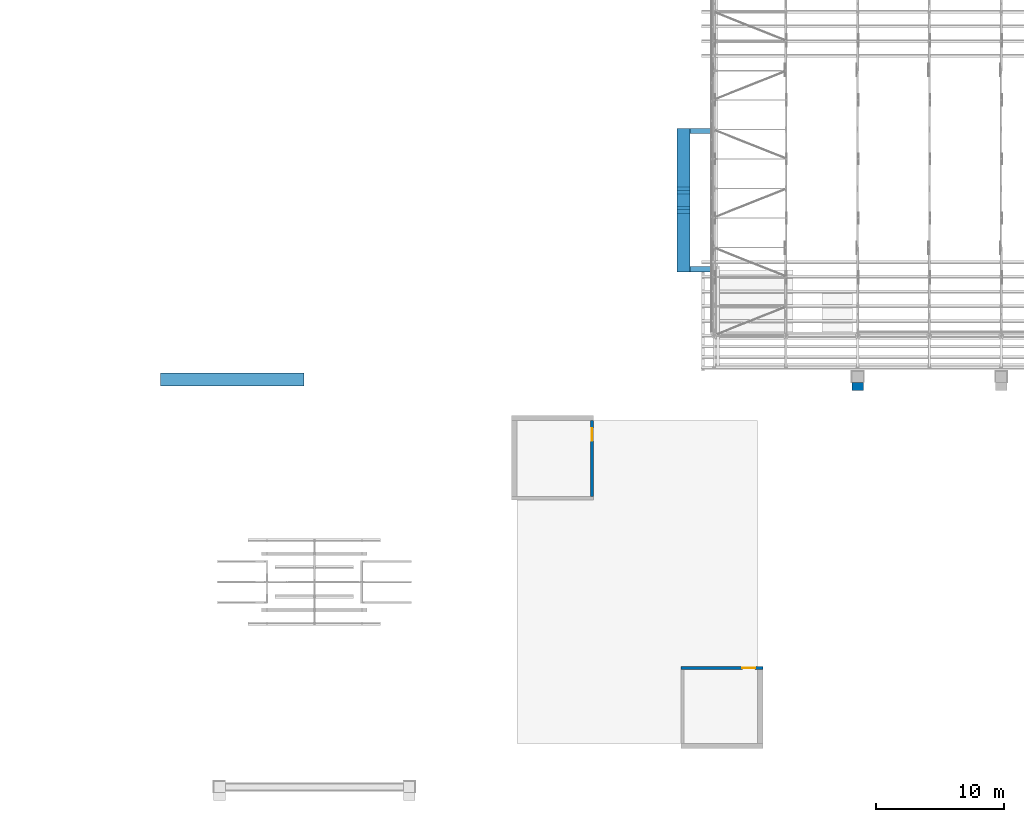
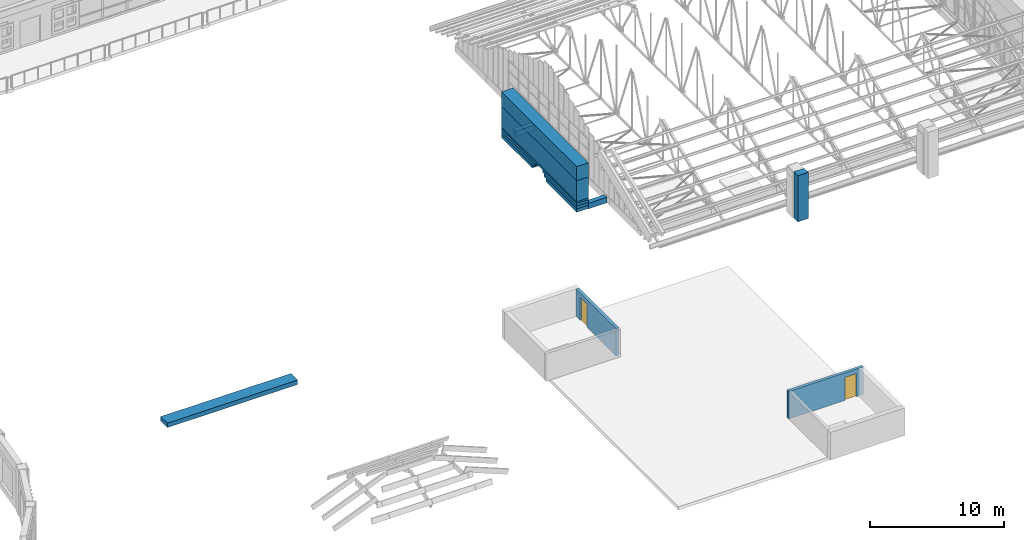
# One storey, part 40 of 71: 15 walls, 2 doors, 2 openings.
"""IFC4 building model written with IfcOpenShell, lengths in metres."""

from ifc_helpers import new_model, si_unit, direction, frame, frame_2d, origin, place, context, subcontext, project, spatial, rectangle, extrude, material, layer, layer_set, type_object, element, fill, save


model = new_model("IFC4")

# Units and contexts
model_context = context("Model", 3, precision=1e-05, world=origin(), true_north=direction((0.0, 1.0)))
body_context = subcontext(model_context, "Body", "Model", "MODEL_VIEW")
ifc_project = project(units=[si_unit("LENGTHUNIT", "METRE"), si_unit("AREAUNIT", "SQUARE_METRE"), si_unit("VOLUMEUNIT", "CUBIC_METRE"), si_unit("PLANEANGLEUNIT", "RADIAN"), si_unit("MASSUNIT", "GRAM", prefix="KILO")], contexts=[model_context])

# Site, building, storey
site_placement = place(None, origin())
site = spatial("IfcSite", under=ifc_project, at=site_placement, CompositionType="ELEMENT")
building_placement = place(site_placement, origin())
building = spatial("IfcBuilding", under=site, at=building_placement, Name="Wasatch Bagh Community Centre", CompositionType="ELEMENT")
storey_placement = place(building_placement, frame((0.0, 0.0, 12.60009765625)))
storey = spatial("IfcBuildingStorey", under=building, at=storey_placement, Name="L03", CompositionType="ELEMENT", Elevation=12.60009765625)

# Walls
ifc_material_1 = material(Name="Concrete C40", Category="concrete")
ifc_layer_1 = layer(ifc_material_1, 0.60009765625)
ifc_layer_set_1 = layer_set([ifc_layer_1], Name="Concrete C40")
wall_type_1 = type_object("IfcWallType", Name="CL-W4", PredefinedType="STANDARD", material=ifc_layer_set_1)
wall_1_placement = place(storey_placement, frame((122.949951171875, 34.25, 0.0), z_axis=(0.0, 0.0, 1.0), x_axis=(1.0, 0.0, 0.0)))
element("IfcWall", 1, at=wall_1_placement, inside=storey, type_object=wall_type_1, Name="CL-W4 pier buttress SHP1", PredefinedType="STANDARD", context=body_context, shape_type="SweptSolid", body=[
    extrude(rectangle(XDim=0.900146484375, YDim=0.60009765625, at=frame_2d((0.4501953125, 0.0))), origin(), (0.0, 0.0, 1.0), 4.199951171875),
])
ifc_layer_2 = layer(ifc_material_1, 1.0)
ifc_layer_set_2 = layer_set([ifc_layer_2], Name="Concrete C40")
wall_type_2 = type_object("IfcWallType", Name="DHPQ-W4", PredefinedType="STANDARD", material=ifc_layer_set_2)
wall_2_placement = place(storey_placement, frame((69.0, 34.800048828125, 0.0), z_axis=(0.0, 0.0, 1.0), x_axis=(1.0, 0.0, 0.0)))
element("IfcWall", 2, at=wall_2_placement, inside=storey, type_object=wall_type_2, Name="DHPQ-W4 iwan cornice band", PredefinedType="STANDARD", context=body_context, shape_type="SweptSolid", body=[
    extrude(rectangle(XDim=11.199951171875, YDim=1.0, at=frame_2d((5.60009765625, 0.0))), origin(), (0.0, 0.0, 1.0), 0.39990234375),
])

# Wall, opening, door
ifc_layer_3 = layer(ifc_material_1, 0.25)
ifc_layer_set_3 = layer_set([ifc_layer_3], Name="Concrete C40")
wall_type_3 = type_object("IfcWallType", Name="KW RC WALL 250 shear", PredefinedType="SHEAR", material=ifc_layer_set_3)
wall_3_placement = place(storey_placement, frame((102.675048828125, 25.64990234375, 0.0), z_axis=(0.0, 0.0, 1.0), x_axis=(0.0, 1.0, 0.0)))
wall_3 = element("IfcWall", 3, at=wall_3_placement, inside=storey, type_object=wall_type_3, Name="KW.head.ST4.E", PredefinedType="SHEAR", context=body_context, shape_type="SweptSolid", body=[
    extrude(rectangle(XDim=5.9501953125, YDim=0.25, at=frame_2d((2.97509765625, 0.0))), origin(), (0.0, 0.0, 1.0), 2.5),
])
opening_1_placement = place(wall_3_placement, frame((4.35009765625, 0.0, 0.0)))
opening_1 = element("IfcOpeningElement", 4, at=opening_1_placement, cuts=wall_3, Name="Opening 3K-01", PredefinedType="OPENING", context=body_context, shape_type="SweptSolid", body=[
    extrude(rectangle(XDim=1.0, YDim=2.10009765625, at=frame_2d((0.5, 1.050048828125))), frame((0.0, 0.135009765625, 0.0), z_axis=(0.0, -1.0, 0.0), x_axis=(1.0, 0.0, 0.0)), (0.0, 0.0, 1.0), 0.27001953125),
])
ifc_material_2 = material(Name="Painted hardwood timber", Category="wood")
door_type = type_object("IfcDoorType", Name="KW door 1000x2100 single", OperationType="SINGLE_SWING_LEFT", PredefinedType="DOOR", material=ifc_material_2)
door_1_placement = place(opening_1_placement, origin())
door_1 = element("IfcDoor", 5, at=door_1_placement, inside=storey, type_object=door_type, Name="KW.door.L03.3K-01", OperationType="SINGLE_SWING_LEFT", OverallHeight=2.10009765625, OverallWidth=1.0, PredefinedType="DOOR", context=body_context, shape_type="SweptSolid", body=[
    extrude(rectangle(XDim=1.0, YDim=2.10009765625, at=frame_2d((0.5, 1.050048828125))), frame((0.0, 0.02490234375, 0.0), z_axis=(0.0, -1.0, 0.0), x_axis=(1.0, 0.0, 0.0)), (0.0, 0.0, 1.0), 0.050048828125),
])
fill(opening_1, door_1)

wall_4_placement = place(storey_placement, frame((109.60009765625, 12.27490234375, 0.0), z_axis=(0.0, 0.0, 1.0), x_axis=(1.0, 0.0, 0.0)))
wall_4 = element("IfcWall", 6, at=wall_4_placement, inside=storey, type_object=wall_type_3, Name="KW.head.ST5.N", PredefinedType="SHEAR", context=body_context, shape_type="SweptSolid", body=[
    extrude(rectangle(XDim=6.39990234375, YDim=0.25, at=frame_2d((3.199951171875, 0.0))), origin(), (0.0, 0.0, 1.0), 2.5),
])
opening_2_placement = place(wall_4_placement, frame((4.800048828125, 0.0, 0.0)))
opening_2 = element("IfcOpeningElement", 7, at=opening_2_placement, cuts=wall_4, Name="Opening 3K-02", PredefinedType="OPENING", context=body_context, shape_type="SweptSolid", body=[
    extrude(rectangle(XDim=1.0, YDim=2.10009765625, at=frame_2d((0.5, 1.050048828125))), frame((0.0, 0.135009765625, 0.0), z_axis=(0.0, -1.0, 0.0), x_axis=(1.0, 0.0, 0.0)), (0.0, 0.0, 1.0), 0.27001953125),
])
door_2_placement = place(opening_2_placement, origin())
door_2 = element("IfcDoor", 8, at=door_2_placement, inside=storey, type_object=door_type, Name="KW.door.L03.3K-02", OperationType="SINGLE_SWING_LEFT", OverallHeight=2.10009765625, OverallWidth=1.0, PredefinedType="DOOR", context=body_context, shape_type="SweptSolid", body=[
    extrude(rectangle(XDim=1.0, YDim=2.10009765625, at=frame_2d((0.5, 1.050048828125))), frame((0.0, 0.02490234375, 0.0), z_axis=(0.0, -1.0, 0.0), x_axis=(1.0, 0.0, 0.0)), (0.0, 0.0, 1.0), 0.050048828125),
])
fill(opening_2, door_2)

# Walls
ifc_layer_4 = layer(ifc_material_1, 1.0)
ifc_layer_set_4 = layer_set([ifc_layer_4], Name="Concrete C40")
wall_type_4 = type_object("IfcWallType", Name="SHPQ-W4", PredefinedType="STANDARD", material=ifc_layer_set_4)
for number, where, z_axis, x_axis, name in (
    (9, (109.800048828125, 43.199951171875, 0.0498046875), (0.0, 0.0, 1.0), (0.0, 1.0, 0.0), "SHPQ-W4 iwan arch spandrel"),
    (10, (109.800048828125, 54.39990234375, 0.0498046875), (0.0, 0.0, 1.0), (0.0, -1.0, 0.0), "SHPQ-W4 iwan arch spandrel"),
):
    element("IfcWall", number, at=place(storey_placement, frame(where, z_axis=z_axis, x_axis=x_axis)), inside=storey, type_object=wall_type_4, Name=name, PredefinedType="STANDARD", context=body_context, shape_type="SweptSolid", body=[
        extrude(rectangle(XDim=4.567626953125, YDim=1.0, at=frame_2d((2.28369140625, 0.0))), origin(), (0.0, 0.0, 1.0), 0.300048828125),
    ])
wall_5_placement = place(storey_placement, frame((109.800048828125, 43.199951171875, 0.349853515625), z_axis=(0.0, 0.0, 1.0), x_axis=(0.0, 1.0, 0.0)))
element("IfcWall", 11, at=wall_5_placement, inside=storey, type_object=wall_type_4, Name="SHPQ-W4 iwan arch spandrel", PredefinedType="STANDARD", context=body_context, shape_type="SweptSolid", body=[
    extrude(rectangle(XDim=4.8505859375, YDim=1.0, at=frame_2d((2.42529296875, 0.0))), origin(), (0.0, 0.0, 1.0), 0.25),
])
wall_6_placement = place(storey_placement, frame((109.800048828125, 54.39990234375, 0.349853515625), z_axis=(0.0, 0.0, 1.0), x_axis=(0.0, -1.0, 0.0)))
element("IfcWall", 12, at=wall_6_placement, inside=storey, type_object=wall_type_4, Name="SHPQ-W4 iwan arch spandrel", PredefinedType="STANDARD", context=body_context, shape_type="SweptSolid", body=[
    extrude(rectangle(XDim=4.850341796875, YDim=1.0, at=frame_2d((2.42529296875, 0.0))), origin(), (0.0, 0.0, 1.0), 0.25),
])
wall_7_placement = place(storey_placement, frame((109.800048828125, 43.199951171875, 0.599853515625), z_axis=(0.0, 0.0, 1.0), x_axis=(0.0, 1.0, 0.0)))
element("IfcWall", 13, at=wall_7_placement, inside=storey, type_object=wall_type_4, Name="SHPQ-W4 iwan arch spandrel", PredefinedType="STANDARD", context=body_context, shape_type="SweptSolid", body=[
    extrude(rectangle(XDim=5.114013671875, YDim=1.0, at=frame_2d((2.55712890625, 0.0))), origin(), (0.0, 0.0, 1.0), 0.25),
])
wall_8_placement = place(storey_placement, frame((109.800048828125, 54.39990234375, 0.599853515625), z_axis=(0.0, 0.0, 1.0), x_axis=(0.0, -1.0, 0.0)))
element("IfcWall", 14, at=wall_8_placement, inside=storey, type_object=wall_type_4, Name="SHPQ-W4 iwan arch spandrel", PredefinedType="STANDARD", context=body_context, shape_type="SweptSolid", body=[
    extrude(rectangle(XDim=5.11376953125, YDim=1.0, at=frame_2d((2.556884765625, 0.0))), origin(), (0.0, 0.0, 1.0), 0.25),
])
wall_9_placement = place(storey_placement, frame((109.800048828125, 43.199951171875, 0.849853515625), z_axis=(0.0, 0.0, 1.0), x_axis=(0.0, 1.0, 0.0)))
element("IfcWall", 15, at=wall_9_placement, inside=storey, type_object=wall_type_4, Name="SHPQ-W4 iwan arch spandrel", PredefinedType="STANDARD", context=body_context, shape_type="SweptSolid", body=[
    extrude(rectangle(XDim=11.199951171875, YDim=1.0, at=frame_2d((5.60009765625, 0.0))), origin(), (0.0, 0.0, 1.0), 0.150146484375),
])
wall_10_placement = place(storey_placement, frame((109.800048828125, 43.199951171875, 1.0), z_axis=(0.0, 0.0, 1.0), x_axis=(0.0, 1.0, 0.0)))
element("IfcWall", 16, at=wall_10_placement, inside=storey, type_object=wall_type_4, Name="SHPQ-W4 iwan arch band", PredefinedType="STANDARD", context=body_context, shape_type="SweptSolid", body=[
    extrude(rectangle(XDim=11.199951171875, YDim=1.0, at=frame_2d((5.60009765625, 0.0))), origin(), (0.0, 0.0, 1.0), 1.89990234375),
])
wall_11_placement = place(storey_placement, frame((109.800048828125, 43.199951171875, 2.89990234375), z_axis=(0.0, 0.0, 1.0), x_axis=(0.0, 1.0, 0.0)))
element("IfcWall", 17, at=wall_11_placement, inside=storey, type_object=wall_type_4, Name="SHPQ-W4 iwan cornice band", PredefinedType="STANDARD", context=body_context, shape_type="SweptSolid", body=[
    extrude(rectangle(XDim=11.199951171875, YDim=1.0, at=frame_2d((5.60009765625, 0.0))), origin(), (0.0, 0.0, 1.0), 1.300048828125),
])
ifc_layer_5 = layer(ifc_material_1, 0.39990234375)
ifc_layer_set_5 = layer_set([ifc_layer_5], Name="Concrete C40")
wall_type_5 = type_object("IfcWallType", Name="SHPQ-W5", PredefinedType="STANDARD", material=ifc_layer_set_5)
for number, where, z_axis, x_axis, name in (
    (18, (110.300048828125, 43.39990234375, 0.0), (0.0, 0.0, 1.0), (1.0, 0.0, 0.0), "SHPQ-W5 pishtaq return wall W"),
    (19, (110.300048828125, 54.199951171875, 0.0), (0.0, 0.0, 1.0), (1.0, 0.0, 0.0), "SHPQ-W5 pishtaq return wall E"),
):
    element("IfcWall", number, at=place(storey_placement, frame(where, z_axis=z_axis, x_axis=x_axis)), inside=storey, type_object=wall_type_5, Name=name, PredefinedType="STANDARD", context=body_context, shape_type="SweptSolid", body=[
        extrude(rectangle(XDim=1.599853515625, YDim=0.39990234375, at=frame_2d((0.7998046875, 0.0))), origin(), (0.0, 0.0, 1.0), 0.5),
    ])

save(model, "model.ifc")
